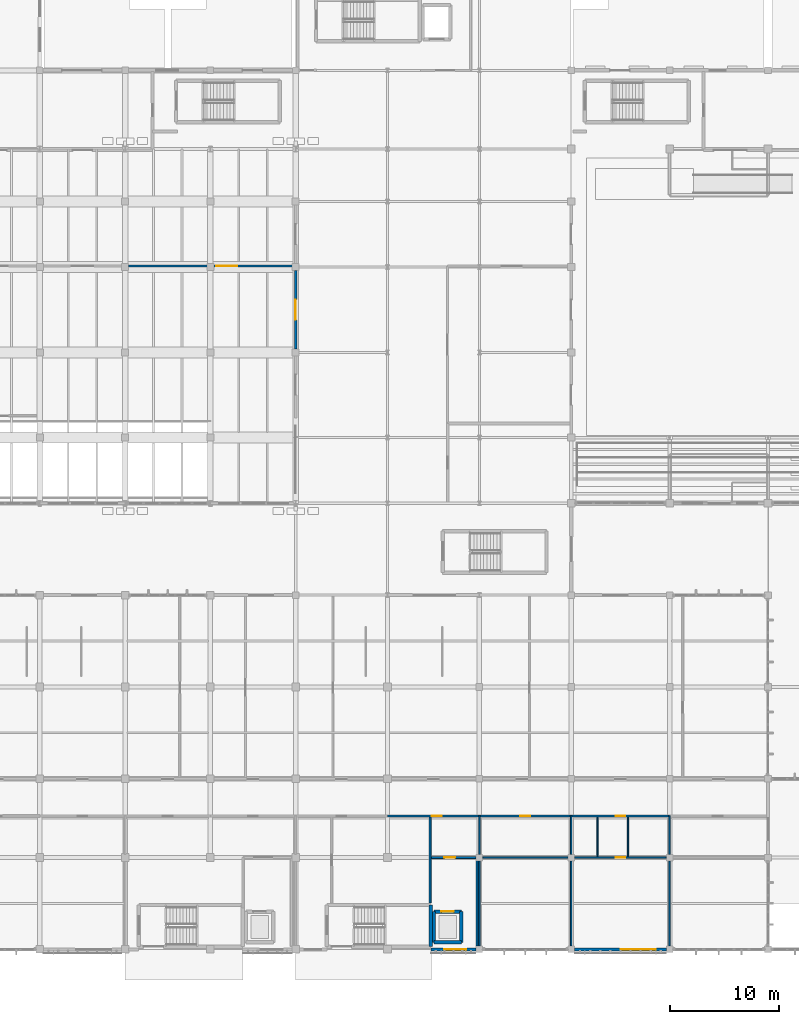
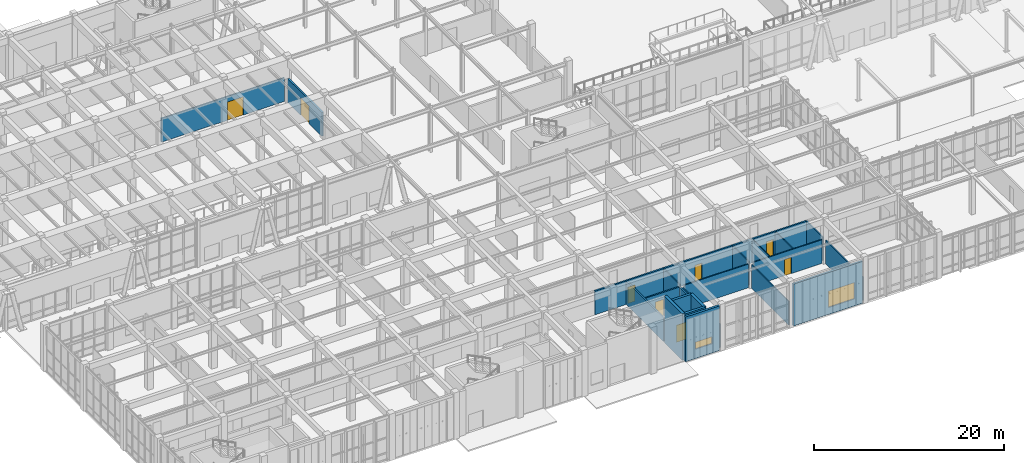
# One storey, part 77 of 110: 25 walls, 8 doors, 2 windows, 10 openings.
"""IFC4 building model written with IfcOpenShell, lengths in metres."""

from ifc_helpers import new_model, si_unit, direction, frame, frame_2d, origin, place, context, subcontext, project, spatial, rectangle, extrude, material, layer, layer_set, type_object, element, fill, save


model = new_model("IFC4")

# Units and contexts
model_context = context("Model", 3, precision=1e-05, world=origin(), true_north=direction((0.0, 1.0)))
body_context = subcontext(model_context, "Body", "Model", "MODEL_VIEW")
ifc_project = project(units=[si_unit("LENGTHUNIT", "METRE"), si_unit("AREAUNIT", "SQUARE_METRE"), si_unit("VOLUMEUNIT", "CUBIC_METRE"), si_unit("PLANEANGLEUNIT", "RADIAN"), si_unit("MASSUNIT", "GRAM", prefix="KILO")], contexts=[model_context])

# Site, building, storey
site_placement = place(None, origin())
site = spatial("IfcSite", under=ifc_project, at=site_placement, CompositionType="ELEMENT")
building_placement = place(site_placement, origin())
building = spatial("IfcBuilding", under=site, at=building_placement, Name="Tizgana Railside Sports Hall", CompositionType="ELEMENT")
storey_placement = place(building_placement, origin())
storey = spatial("IfcBuildingStorey", under=building, at=storey_placement, Name="L00", CompositionType="ELEMENT", Elevation=0.0)

# Wall, opening, door
ifc_material_1 = material(Name="Acoustic gypsum stud")
ifc_layer_1 = layer(ifc_material_1, 0.159912109375, Name="Acoustic gypsum stud")
ifc_layer_set_1 = layer_set([ifc_layer_1], Name="Acoustic gypsum stud")
wall_type_1 = type_object("IfcWallType", Name="Clinic Acoustic Partition 160", PredefinedType="STANDARD", material=ifc_layer_set_1)
wall_1_placement = place(storey_placement, frame((39.300048828125, 62.5, 0.0), z_axis=(0.0, 0.0, 1.0), x_axis=(1.0, 0.0, 0.0)))
wall_1 = element("IfcWall", 1, at=wall_1_placement, inside=storey, type_object=wall_type_1, Name="L00 Partition PWAL-0254", PredefinedType="STANDARD", context=body_context, shape_type="SweptSolid", body=[
    extrude(rectangle(XDim=15.0, YDim=0.159912109375, at=frame_2d((7.5, 0.0))), origin(), (0.0, 0.0, 1.0), 3.050048828125),
])
opening_1_placement = place(wall_1_placement, frame((8.02490234375, 0.0, 0.0)))
opening_1 = element("IfcOpeningElement", 2, at=opening_1_placement, cuts=wall_1, Name="Opening D-0245", PredefinedType="OPENING", context=body_context, shape_type="SweptSolid", body=[
    extrude(rectangle(XDim=1.949951171875, YDim=2.35009765625, at=frame_2d((0.97509765625, 1.175048828125))), frame((0.0, 0.08984375, 0.0), z_axis=(0.0, -1.0, 0.0), x_axis=(1.0, 0.0, 0.0)), (0.0, 0.0, 1.0), 0.179931640625),
])
ifc_material_2 = material(Name="Solid beech timber", Category="wood")
door_type_1 = type_object("IfcDoorType", Name="Court Player Double Entry Door 1950x2350", OperationType="NOTDEFINED", PredefinedType="DOOR", material=ifc_material_2)
door_1_placement = place(opening_1_placement, origin())
door_1 = element("IfcDoor", 3, at=door_1_placement, inside=storey, type_object=door_type_1, Name="L00 Door D-0245", OperationType="DOUBLE_DOOR_SINGLE_SWING", OverallHeight=2.35009765625, OverallWidth=1.949951171875, PredefinedType="DOOR", context=body_context, shape_type="SweptSolid", body=[
    extrude(rectangle(XDim=1.949951171875, YDim=2.35009765625, at=frame_2d((0.97509765625, 1.175048828125))), frame((0.0, 0.02490234375, 0.0), z_axis=(0.0, -1.0, 0.0), x_axis=(1.0, 0.0, 0.0)), (0.0, 0.0, 1.0), 0.050048828125),
])
fill(opening_1, door_1)

# Walls
ifc_material_3 = material(Name="Concrete C40/50", Category="concrete")
ifc_layer_2 = layer(ifc_material_3, 0.300048828125, Name="Concrete C40/50")
ifc_layer_set_2 = layer_set([ifc_layer_2], Name="Concrete C40/50")
wall_type_2 = type_object("IfcWallType", Name="Core Shear Wall 300", PredefinedType="SHEAR", material=ifc_layer_set_2)
wall_2_placement = place(storey_placement, frame((66.949951171875, 0.25, 0.0), z_axis=(0.0, 0.0, 1.0), x_axis=(0.0, 1.0, 0.0)))
element("IfcWall", 4, at=wall_2_placement, inside=storey, type_object=wall_type_2, Name="L00 C3 Shaft Wall E", PredefinedType="SHEAR", context=body_context, shape_type="SweptSolid", body=[
    extrude(rectangle(XDim=3.800048828125, YDim=0.300048828125, at=frame_2d((1.89990234375, 0.0))), origin(), (0.0, 0.0, 1.0), 6.0),
])
wall_3_placement = place(storey_placement, frame((67.25, 0.64990234375, 0.0), z_axis=(0.0, 0.0, 1.0), x_axis=(1.0, 0.0, 0.0)))
element("IfcWall", 5, at=wall_3_placement, inside=storey, type_object=wall_type_2, Name="L00 LP-02 Shaft Wall S", PredefinedType="SHEAR", context=body_context, shape_type="SweptSolid", body=[
    extrude(rectangle(XDim=2.5, YDim=0.300048828125, at=frame_2d((1.25, 0.0))), origin(), (0.0, 0.0, 1.0), 5.659912109375),
])

# Wall, opening, door
wall_4_placement = place(storey_placement, frame((67.25, 3.449951171875, 0.0), z_axis=(0.0, 0.0, 1.0), x_axis=(1.0, 0.0, 0.0)))
wall_4 = element("IfcWall", 6, at=wall_4_placement, inside=storey, type_object=wall_type_2, Name="L00 LP-02 Shaft Wall N", PredefinedType="SHEAR", context=body_context, shape_type="SweptSolid", body=[
    extrude(rectangle(XDim=2.5, YDim=0.300048828125, at=frame_2d((1.25, 0.0))), origin(), (0.0, 0.0, 1.0), 5.659912109375),
])
opening_2_placement = place(wall_4_placement, frame((0.675048828125, 0.0, 0.0)))
opening_2 = element("IfcOpeningElement", 7, at=opening_2_placement, cuts=wall_4, Name="Opening D-0067", PredefinedType="OPENING", context=body_context, shape_type="SweptSolid", body=[
    extrude(rectangle(XDim=1.14990234375, YDim=2.199951171875, at=frame_2d((0.574951171875, 1.10009765625))), frame((0.0, 0.159912109375, 0.0), z_axis=(0.0, -1.0, 0.0), x_axis=(1.0, 0.0, 0.0)), (0.0, 0.0, 1.0), 0.320068359375),
])
ifc_material_4 = material(Name="Brushed stainless steel", Category="steel")
door_type_2 = type_object("IfcDoorType", Name="Passenger Lift Sliding Door 1150x2200", OperationType="NOTDEFINED", PredefinedType="DOOR", material=ifc_material_4)
door_2_placement = place(opening_2_placement, origin())
door_2 = element("IfcDoor", 8, at=door_2_placement, inside=storey, type_object=door_type_2, Name="L00 Door D-0067", OperationType="DOUBLE_DOOR_SLIDING", OverallHeight=2.199951171875, OverallWidth=1.14990234375, PredefinedType="DOOR", context=body_context, shape_type="SweptSolid", body=[
    extrude(rectangle(XDim=1.14990234375, YDim=2.199951171875, at=frame_2d((0.574951171875, 1.10009765625))), frame((0.0, 0.02490234375, 0.0), z_axis=(0.0, -1.0, 0.0), x_axis=(1.0, 0.0, 0.0)), (0.0, 0.0, 1.0), 0.050048828125),
])
fill(opening_2, door_2)

# Walls
for number, where, z_axis, x_axis, name in (
    (9, (67.25, 0.64990234375, 0.0), (0.0, 0.0, 1.0), (0.0, 1.0, 0.0), "L00 LP-02 Shaft Wall W"),
    (10, (69.75, 0.64990234375, 0.0), (0.0, 0.0, 1.0), (0.0, 1.0, 0.0), "L00 LP-02 Shaft Wall E"),
):
    element("IfcWall", number, at=place(storey_placement, frame(where, z_axis=z_axis, x_axis=x_axis)), inside=storey, type_object=wall_type_2, Name=name, PredefinedType="SHEAR", context=body_context, shape_type="SweptSolid", body=[
        extrude(rectangle(XDim=2.800048828125, YDim=0.300048828125, at=frame_2d((1.39990234375, 0.0))), origin(), (0.0, 0.0, 1.0), 5.659912109375),
    ])

# Wall, opening, door
ifc_material_5 = material(Name="Masonry blockwork", Category="masonry")
ifc_layer_3 = layer(ifc_material_5, 0.199951171875, Name="Masonry blockwork")
ifc_layer_set_3 = layer_set([ifc_layer_3], Name="Masonry blockwork")
wall_type_3 = type_object("IfcWallType", Name="Corridor Compartment Partition 200", PredefinedType="STANDARD", material=ifc_layer_set_3)
wall_5_placement = place(storey_placement, frame((63.0, 12.199951171875, 0.0), z_axis=(0.0, 0.0, 1.0), x_axis=(1.0, 0.0, 0.0)))
wall_5 = element("IfcWall", 11, at=wall_5_placement, inside=storey, type_object=wall_type_3, Name="L00 Partition PWAL-0016", PredefinedType="STANDARD", context=body_context, shape_type="SweptSolid", body=[
    extrude(rectangle(XDim=8.39990234375, YDim=0.199951171875, at=frame_2d((4.199951171875, 0.0))), origin(), (0.0, 0.0, 1.0), 3.050048828125),
])
opening_3_placement = place(wall_5_placement, frame((4.06005859375, 0.0, 0.0)))
opening_3 = element("IfcOpeningElement", 12, at=opening_3_placement, cuts=wall_5, Name="Opening D-0118", PredefinedType="OPENING", context=body_context, shape_type="SweptSolid", body=[
    extrude(rectangle(XDim=0.8798828125, YDim=2.10009765625, at=frame_2d((0.43994140625, 1.050048828125))), frame((0.0, 0.10986328125, 0.0), z_axis=(0.0, -1.0, 0.0), x_axis=(1.0, 0.0, 0.0)), (0.0, 0.0, 1.0), 0.219970703125),
])
door_type_3 = type_object("IfcDoorType", Name="Public & Staff WC Door 880x2100", OperationType="NOTDEFINED", PredefinedType="DOOR", material=ifc_material_2)
door_3_placement = place(opening_3_placement, origin())
door_3 = element("IfcDoor", 13, at=door_3_placement, inside=storey, type_object=door_type_3, Name="L00 Door D-0118", OperationType="SINGLE_SWING_RIGHT", OverallHeight=2.10009765625, OverallWidth=0.8798828125, PredefinedType="DOOR", context=body_context, shape_type="SweptSolid", body=[
    extrude(rectangle(XDim=0.8798828125, YDim=2.10009765625, at=frame_2d((0.43994140625, 1.050048828125))), frame((0.0, 0.02490234375, 0.0), z_axis=(0.0, -1.0, 0.0), x_axis=(1.0, 0.0, 0.0)), (0.0, 0.0, 1.0), 0.050048828125),
])
fill(opening_3, door_3)

wall_6_placement = place(storey_placement, frame((71.39990234375, 12.199951171875, 0.0), z_axis=(0.0, 0.0, 1.0), x_axis=(1.0, 0.0, 0.0)))
wall_6 = element("IfcWall", 14, at=wall_6_placement, inside=storey, type_object=wall_type_3, Name="L00 Partition PWAL-0018", PredefinedType="STANDARD", context=body_context, shape_type="SweptSolid", body=[
    extrude(rectangle(XDim=8.400146484375, YDim=0.199951171875, at=frame_2d((4.2001953125, 0.0))), origin(), (0.0, 0.0, 1.0), 3.050048828125),
])
opening_4_placement = place(wall_6_placement, frame((3.760009765625, 0.0, 0.0)))
opening_4 = element("IfcOpeningElement", 15, at=opening_4_placement, cuts=wall_6, Name="Opening D-0120", PredefinedType="OPENING", context=body_context, shape_type="SweptSolid", body=[
    extrude(rectangle(XDim=0.8798828125, YDim=2.10009765625, at=frame_2d((0.43994140625, 1.050048828125))), frame((0.0, 0.10986328125, 0.0), z_axis=(0.0, -1.0, 0.0), x_axis=(1.0, 0.0, 0.0)), (0.0, 0.0, 1.0), 0.219970703125),
])
door_4_placement = place(opening_4_placement, origin())
door_4 = element("IfcDoor", 16, at=door_4_placement, inside=storey, type_object=door_type_3, Name="L00 Door D-0120", OperationType="SINGLE_SWING_RIGHT", OverallHeight=2.10009765625, OverallWidth=0.8798828125, PredefinedType="DOOR", context=body_context, shape_type="SweptSolid", body=[
    extrude(rectangle(XDim=0.8798828125, YDim=2.10009765625, at=frame_2d((0.43994140625, 1.050048828125))), frame((0.0, 0.02490234375, 0.0), z_axis=(0.0, -1.0, 0.0), x_axis=(1.0, 0.0, 0.0)), (0.0, 0.0, 1.0), 0.050048828125),
])
fill(opening_4, door_4)

wall_7_placement = place(storey_placement, frame((79.800048828125, 12.199951171875, 0.0), z_axis=(0.0, 0.0, 1.0), x_axis=(1.0, 0.0, 0.0)))
wall_7 = element("IfcWall", 17, at=wall_7_placement, inside=storey, type_object=wall_type_3, Name="L00 Partition PWAL-0020", PredefinedType="STANDARD", context=body_context, shape_type="SweptSolid", body=[
    extrude(rectangle(XDim=9.0, YDim=0.199951171875, at=frame_2d((4.5, 0.0))), origin(), (0.0, 0.0, 1.0), 3.050048828125),
])
opening_5_placement = place(wall_7_placement, frame((4.06005859375, 0.0, 0.0)))
opening_5 = element("IfcOpeningElement", 18, at=opening_5_placement, cuts=wall_7, Name="Opening D-0122", PredefinedType="OPENING", context=body_context, shape_type="SweptSolid", body=[
    extrude(rectangle(XDim=0.8798828125, YDim=2.10009765625, at=frame_2d((0.43994140625, 1.050048828125))), frame((0.0, 0.10986328125, 0.0), z_axis=(0.0, -1.0, 0.0), x_axis=(1.0, 0.0, 0.0)), (0.0, 0.0, 1.0), 0.219970703125),
])
door_5_placement = place(opening_5_placement, origin())
door_5 = element("IfcDoor", 19, at=door_5_placement, inside=storey, type_object=door_type_3, Name="L00 Door D-0122", OperationType="SINGLE_SWING_RIGHT", OverallHeight=2.10009765625, OverallWidth=0.8798828125, PredefinedType="DOOR", context=body_context, shape_type="SweptSolid", body=[
    extrude(rectangle(XDim=0.8798828125, YDim=2.10009765625, at=frame_2d((0.43994140625, 1.050048828125))), frame((0.0, 0.02490234375, 0.0), z_axis=(0.0, -1.0, 0.0), x_axis=(1.0, 0.0, 0.0)), (0.0, 0.0, 1.0), 0.050048828125),
])
fill(opening_5, door_5)

ifc_layer_4 = layer(ifc_material_5, 0.219970703125, Name="Masonry blockwork")
ifc_layer_set_4 = layer_set([ifc_layer_4], Name="Masonry blockwork")
wall_type_4 = type_object("IfcWallType", Name="Equipment Store Fire Wall 220", PredefinedType="STANDARD", material=ifc_layer_set_4)
wall_8_placement = place(storey_placement, frame((54.60009765625, 54.89990234375, 0.0), z_axis=(0.0, 0.0, 1.0), x_axis=(0.0, 1.0, 0.0)))
wall_8 = element("IfcWall", 20, at=wall_8_placement, inside=storey, type_object=wall_type_4, Name="L00 Partition PWAL-0269", PredefinedType="STANDARD", context=body_context, shape_type="SweptSolid", body=[
    extrude(rectangle(XDim=7.2001953125, YDim=0.219970703125, at=frame_2d((3.60009765625, 0.0))), origin(), (0.0, 0.0, 1.0), 3.050048828125),
])
opening_6_placement = place(wall_8_placement, frame((2.675048828125, 0.0, 0.0)))
opening_6 = element("IfcOpeningElement", 21, at=opening_6_placement, cuts=wall_8, Name="Opening D-0257", PredefinedType="OPENING", context=body_context, shape_type="SweptSolid", body=[
    extrude(rectangle(XDim=1.85009765625, YDim=2.25, at=frame_2d((0.925048828125, 1.125))), frame((0.0, 0.119873046875, 0.0), z_axis=(0.0, -1.0, 0.0), x_axis=(1.0, 0.0, 0.0)), (0.0, 0.0, 1.0), 0.239990234375),
])
ifc_material_6 = material(Name="Timber fire leaf", Category="wood")
door_type_4 = type_object("IfcDoorType", Name="Corridor Cross-Fire Double Door 1850x2250", OperationType="NOTDEFINED", PredefinedType="DOOR", material=ifc_material_6)
door_6_placement = place(opening_6_placement, origin())
door_6 = element("IfcDoor", 22, at=door_6_placement, inside=storey, type_object=door_type_4, Name="L00 Door D-0257", OperationType="DOUBLE_DOOR_SINGLE_SWING", OverallHeight=2.25, OverallWidth=1.85009765625, PredefinedType="DOOR", context=body_context, shape_type="SweptSolid", body=[
    extrude(rectangle(XDim=1.85009765625, YDim=2.25, at=frame_2d((0.925048828125, 1.125))), frame((0.0, 0.02490234375, 0.0), z_axis=(0.0, -1.0, 0.0), x_axis=(1.0, 0.0, 0.0)), (0.0, 0.0, 1.0), 0.050048828125),
])
fill(opening_6, door_6)

# Wall, opening, window
ifc_material_7 = material(Name="Precast concrete C40/50", Category="concrete")
ifc_layer_5 = layer(ifc_material_7, 0.27001953125, Name="Precast concrete C40/50")
ifc_layer_set_5 = layer_set([ifc_layer_5], Name="Precast concrete C40/50")
wall_type_5 = type_object("IfcWallType", Name="Exterior Studio Facade Wall 270", PredefinedType="STANDARD", material=ifc_layer_set_5)
wall_9_placement = place(storey_placement, frame((71.110107421875, 0.0, 0.0), z_axis=(0.0, 0.0, 1.0), x_axis=(-1.0, 0.0, 0.0)))
wall_9 = element("IfcWall", 23, at=wall_9_placement, inside=storey, type_object=wall_type_5, Name="L00 Exterior Wall EWAL-0076", PredefinedType="STANDARD", context=body_context, shape_type="SweptSolid", body=[
    extrude(rectangle(XDim=4.155029296875, YDim=0.27001953125, at=frame_2d((2.07763671875, 0.0))), origin(), (0.0, 0.0, 1.0), 5.75),
])
opening_7_placement = place(wall_9_placement, frame((0.909912109375, 0.0, 1.199951171875)))
opening_7 = element("IfcOpeningElement", 24, at=opening_7_placement, cuts=wall_9, Name="Opening W-0053", PredefinedType="OPENING", context=body_context, shape_type="SweptSolid", body=[
    extrude(rectangle(XDim=2.0, YDim=0.89990234375, at=frame_2d((1.0, 0.449951171875))), frame((0.0, 0.14501953125, 0.0), z_axis=(0.0, -1.0, 0.0), x_axis=(1.0, 0.0, 0.0)), (0.0, 0.0, 1.0), 0.2900390625),
])
ifc_material_8 = material(Name="Double low-E laminated glass", Category="glass")
window_type_1 = type_object("IfcWindowType", Name="Changing High-Level Window 2000x900", PartitioningType="SINGLE_PANEL", PredefinedType="WINDOW", material=ifc_material_8)
window_1_placement = place(opening_7_placement, origin())
window_1 = element("IfcWindow", 25, at=window_1_placement, inside=storey, type_object=window_type_1, Name="L00 Window W-0053", OverallHeight=0.89990234375, OverallWidth=2.0, PartitioningType="SINGLE_PANEL", PredefinedType="WINDOW", context=body_context, shape_type="SweptSolid", body=[
    extrude(rectangle(XDim=2.0, YDim=0.89990234375, at=frame_2d((1.0, 0.449951171875))), frame((0.0, 0.030029296875, 0.0), z_axis=(0.0, -1.0, 0.0), x_axis=(1.0, 0.0, 0.0)), (0.0, 0.0, 1.0), 0.06005859375),
])
fill(opening_7, window_1)

wall_10_placement = place(storey_placement, frame((88.510009765625, 0.0, 0.0), z_axis=(0.0, 0.0, 1.0), x_axis=(-1.0, 0.0, 0.0)))
wall_10 = element("IfcWall", 26, at=wall_10_placement, inside=storey, type_object=wall_type_5, Name="L00 Exterior Wall EWAL-0077", PredefinedType="STANDARD", context=body_context, shape_type="SweptSolid", body=[
    extrude(rectangle(XDim=8.419921875, YDim=0.27001953125, at=frame_2d((4.2099609375, 0.0))), origin(), (0.0, 0.0, 1.0), 5.381103515625),
])
opening_8_placement = place(wall_10_placement, frame((0.9599609375, 0.0, 0.89990234375)))
opening_8 = element("IfcOpeningElement", 27, at=opening_8_placement, cuts=wall_10, Name="Opening W-0054", PredefinedType="OPENING", context=body_context, shape_type="SweptSolid", body=[
    extrude(rectangle(XDim=3.199951171875, YDim=2.10009765625, at=frame_2d((1.60009765625, 1.050048828125))), frame((0.0, 0.14501953125, 0.0), z_axis=(0.0, -1.0, 0.0), x_axis=(1.0, 0.0, 0.0)), (0.0, 0.0, 1.0), 0.2900390625),
])
window_type_2 = type_object("IfcWindowType", Name="Studio Wide Window 3200x2100", PartitioningType="SINGLE_PANEL", PredefinedType="WINDOW", material=ifc_material_8)
window_2_placement = place(opening_8_placement, origin())
window_2 = element("IfcWindow", 28, at=window_2_placement, inside=storey, type_object=window_type_2, Name="L00 Window W-0054", OverallHeight=2.10009765625, OverallWidth=3.199951171875, PartitioningType="SINGLE_PANEL", PredefinedType="WINDOW", context=body_context, shape_type="SweptSolid", body=[
    extrude(rectangle(XDim=3.199951171875, YDim=2.10009765625, at=frame_2d((1.60009765625, 1.050048828125))), frame((0.0, 0.030029296875, 0.0), z_axis=(0.0, -1.0, 0.0), x_axis=(1.0, 0.0, 0.0)), (0.0, 0.0, 1.0), 0.06005859375),
])
fill(opening_8, window_2)

# Walls
ifc_layer_6 = layer(ifc_material_1, 0.1298828125, Name="Acoustic gypsum stud")
ifc_layer_set_6 = layer_set([ifc_layer_6], Name="Acoustic gypsum stud")
wall_type_6 = type_object("IfcWallType", Name="General Interior Partition 130", PredefinedType="STANDARD", material=ifc_layer_set_6)
wall_11_placement = place(storey_placement, frame((71.39990234375, 0.300048828125, 0.0), z_axis=(0.0, 0.0, 1.0), x_axis=(0.0, 1.0, 0.0)))
element("IfcWall", 29, at=wall_11_placement, inside=storey, type_object=wall_type_6, Name="L00 Partition PWAL-0034", PredefinedType="STANDARD", context=body_context, shape_type="SweptSolid", body=[
    extrude(rectangle(XDim=7.800048828125, YDim=0.1298828125, at=frame_2d((3.89990234375, 0.0))), origin(), (0.0, 0.0, 1.0), 3.050048828125),
])
wall_12_placement = place(storey_placement, frame((71.39990234375, 8.699951171875, 0.0), z_axis=(0.0, 0.0, 1.0), x_axis=(0.0, 1.0, 0.0)))
element("IfcWall", 30, at=wall_12_placement, inside=storey, type_object=wall_type_6, Name="L00 Partition PWAL-0035", PredefinedType="STANDARD", context=body_context, shape_type="SweptSolid", body=[
    extrude(rectangle(XDim=3.5, YDim=0.1298828125, at=frame_2d((1.75, 0.0))), origin(), (0.0, 0.0, 1.0), 3.050048828125),
])
wall_13_placement = place(storey_placement, frame((79.800048828125, 0.300048828125, 0.0), z_axis=(0.0, 0.0, 1.0), x_axis=(0.0, 1.0, 0.0)))
element("IfcWall", 31, at=wall_13_placement, inside=storey, type_object=wall_type_6, Name="L00 Partition PWAL-0036", PredefinedType="STANDARD", context=body_context, shape_type="SweptSolid", body=[
    extrude(rectangle(XDim=7.800048828125, YDim=0.1298828125, at=frame_2d((3.89990234375, 0.0))), origin(), (0.0, 0.0, 1.0), 3.050048828125),
])
wall_14_placement = place(storey_placement, frame((79.800048828125, 8.699951171875, 0.0), z_axis=(0.0, 0.0, 1.0), x_axis=(0.0, 1.0, 0.0)))
element("IfcWall", 32, at=wall_14_placement, inside=storey, type_object=wall_type_6, Name="L00 Partition PWAL-0037", PredefinedType="STANDARD", context=body_context, shape_type="SweptSolid", body=[
    extrude(rectangle(XDim=3.5, YDim=0.1298828125, at=frame_2d((1.75, 0.0))), origin(), (0.0, 0.0, 1.0), 3.050048828125),
])
wall_15_placement = place(storey_placement, frame((88.800048828125, 0.300048828125, 0.0), z_axis=(0.0, 0.0, 1.0), x_axis=(0.0, 1.0, 0.0)))
element("IfcWall", 33, at=wall_15_placement, inside=storey, type_object=wall_type_6, Name="L00 Partition PWAL-0038", PredefinedType="STANDARD", context=body_context, shape_type="SweptSolid", body=[
    extrude(rectangle(XDim=7.800048828125, YDim=0.1298828125, at=frame_2d((3.89990234375, 0.0))), origin(), (0.0, 0.0, 1.0), 3.050048828125),
])
wall_16_placement = place(storey_placement, frame((88.800048828125, 8.699951171875, 0.0), z_axis=(0.0, 0.0, 1.0), x_axis=(0.0, 1.0, 0.0)))
element("IfcWall", 34, at=wall_16_placement, inside=storey, type_object=wall_type_6, Name="L00 Partition PWAL-0039", PredefinedType="STANDARD", context=body_context, shape_type="SweptSolid", body=[
    extrude(rectangle(XDim=3.5, YDim=0.1298828125, at=frame_2d((1.75, 0.0))), origin(), (0.0, 0.0, 1.0), 3.050048828125),
])
wall_17_placement = place(storey_placement, frame((71.7099609375, 8.39990234375, 0.0), z_axis=(0.0, 0.0, 1.0), x_axis=(1.0, 0.0, 0.0)))
element("IfcWall", 35, at=wall_17_placement, inside=storey, type_object=wall_type_6, Name="L00 Partition PWAL-0040", PredefinedType="STANDARD", context=body_context, shape_type="SweptSolid", body=[
    extrude(rectangle(XDim=7.780029296875, YDim=0.1298828125, at=frame_2d((3.89013671875, 0.0))), origin(), (0.0, 0.0, 1.0), 3.050048828125),
])

# Wall, opening, door
wall_18_placement = place(storey_placement, frame((80.110107421875, 8.39990234375, 0.0), z_axis=(0.0, 0.0, 1.0), x_axis=(1.0, 0.0, 0.0)))
wall_18 = element("IfcWall", 36, at=wall_18_placement, inside=storey, type_object=wall_type_6, Name="L00 Partition PWAL-0041", PredefinedType="STANDARD", context=body_context, shape_type="SweptSolid", body=[
    extrude(rectangle(XDim=8.3798828125, YDim=0.1298828125, at=frame_2d((4.18994140625, 0.0))), origin(), (0.0, 0.0, 1.0), 3.050048828125),
])
opening_9_placement = place(wall_18_placement, frame((3.760009765625, 0.0, 0.0)))
opening_9 = element("IfcOpeningElement", 37, at=opening_9_placement, cuts=wall_18, Name="Opening D-0130", PredefinedType="OPENING", context=body_context, shape_type="SweptSolid", body=[
    extrude(rectangle(XDim=0.860107421875, YDim=2.10009765625, at=frame_2d((0.43017578125, 1.050048828125))), frame((0.0, 0.074951171875, 0.0), z_axis=(0.0, -1.0, 0.0), x_axis=(1.0, 0.0, 0.0)), (0.0, 0.0, 1.0), 0.14990234375),
])
door_type_5 = type_object("IfcDoorType", Name="Cleaner & Store Room Door 860x2100", OperationType="NOTDEFINED", PredefinedType="DOOR", material=ifc_material_2)
door_7_placement = place(opening_9_placement, origin())
door_7 = element("IfcDoor", 38, at=door_7_placement, inside=storey, type_object=door_type_5, Name="L00 Door D-0130", OperationType="SINGLE_SWING_RIGHT", OverallHeight=2.10009765625, OverallWidth=0.860107421875, PredefinedType="DOOR", context=body_context, shape_type="SweptSolid", body=[
    extrude(rectangle(XDim=0.860107421875, YDim=2.10009765625, at=frame_2d((0.43017578125, 1.050048828125))), frame((0.0, 0.02490234375, 0.0), z_axis=(0.0, -1.0, 0.0), x_axis=(1.0, 0.0, 0.0)), (0.0, 0.0, 1.0), 0.050048828125),
])
fill(opening_9, door_7)

# Wall
ifc_layer_7 = layer(ifc_material_5, 0.179931640625, Name="Masonry blockwork")
ifc_layer_set_7 = layer_set([ifc_layer_7], Name="Masonry blockwork")
wall_type_7 = type_object("IfcWallType", Name="Riser and Shaft Wall 180", PredefinedType="STANDARD", material=ifc_layer_set_7)
wall_19_placement = place(storey_placement, frame((66.89990234375, 4.25, 0.0), z_axis=(0.0, 0.0, 1.0), x_axis=(0.0, 1.0, 0.0)))
element("IfcWall", 39, at=wall_19_placement, inside=storey, type_object=wall_type_7, Name="L00 Partition PWAL-0354", PredefinedType="STANDARD", context=body_context, shape_type="SweptSolid", body=[
    extrude(rectangle(XDim=7.85009765625, YDim=0.179931640625, at=frame_2d((3.925048828125, 0.0))), origin(), (0.0, 0.0, 1.0), 3.050048828125),
])

# Wall, opening, door
wall_20_placement = place(storey_placement, frame((67.0, 8.39990234375, 0.0), z_axis=(0.0, 0.0, 1.0), x_axis=(1.0, 0.0, 0.0)))
wall_20 = element("IfcWall", 40, at=wall_20_placement, inside=storey, type_object=wall_type_7, Name="L00 Partition PWAL-0355", PredefinedType="STANDARD", context=body_context, shape_type="SweptSolid", body=[
    extrude(rectangle(XDim=4.10009765625, YDim=0.179931640625, at=frame_2d((2.050048828125, 0.0))), origin(), (0.0, 0.0, 1.0), 3.050048828125),
])
opening_10_placement = place(wall_20_placement, frame((1.18994140625, 0.0, 0.0)))
opening_10 = element("IfcOpeningElement", 41, at=opening_10_placement, cuts=wall_20, Name="Opening D-0314", PredefinedType="OPENING", context=body_context, shape_type="SweptSolid", body=[
    extrude(rectangle(XDim=1.02001953125, YDim=2.14990234375, at=frame_2d((0.510009765625, 1.074951171875))), frame((0.0, 0.099853515625, 0.0), z_axis=(0.0, -1.0, 0.0), x_axis=(1.0, 0.0, 0.0)), (0.0, 0.0, 1.0), 0.199951171875),
])
door_type_6 = type_object("IfcDoorType", Name="Accessible Changing & WC Door 1020x2150", OperationType="NOTDEFINED", PredefinedType="DOOR", material=ifc_material_2)
door_8_placement = place(opening_10_placement, origin())
door_8 = element("IfcDoor", 42, at=door_8_placement, inside=storey, type_object=door_type_6, Name="L00 Door D-0314", OperationType="SINGLE_SWING_LEFT", OverallHeight=2.14990234375, OverallWidth=1.02001953125, PredefinedType="DOOR", context=body_context, shape_type="SweptSolid", body=[
    extrude(rectangle(XDim=1.02001953125, YDim=2.14990234375, at=frame_2d((0.510009765625, 1.074951171875))), frame((0.0, 0.02490234375, 0.0), z_axis=(0.0, -1.0, 0.0), x_axis=(1.0, 0.0, 0.0)), (0.0, 0.0, 1.0), 0.050048828125),
])
fill(opening_10, door_8)

# Walls
wall_21_placement = place(storey_placement, frame((71.199951171875, 0.300048828125, 0.0), z_axis=(0.0, 0.0, 1.0), x_axis=(0.0, 1.0, 0.0)))
element("IfcWall", 43, at=wall_21_placement, inside=storey, type_object=wall_type_7, Name="L00 Partition PWAL-0356", PredefinedType="STANDARD", context=body_context, shape_type="SweptSolid", body=[
    extrude(rectangle(XDim=8.099853515625, YDim=0.179931640625, at=frame_2d((4.0498046875, 0.0))), origin(), (0.0, 0.0, 1.0), 3.050048828125),
])
ifc_layer_8 = layer(ifc_material_1, 0.1201171875, Name="Acoustic gypsum stud")
ifc_layer_set_8 = layer_set([ifc_layer_8], Name="Acoustic gypsum stud")
wall_type_8 = type_object("IfcWallType", Name="WC Cubicle Partition 120", PredefinedType="STANDARD", material=ifc_layer_set_8)
for number, where, z_axis, x_axis, name in (
    (44, (82.199951171875, 8.469970703125, 0.0), (0.0, 0.0, 1.0), (0.0, 1.0, 0.0), "L00 Partition PWAL-0051"),
    (45, (85.0, 8.469970703125, 0.0), (0.0, 0.0, 1.0), (0.0, 1.0, 0.0), "L00 Partition PWAL-0052"),
):
    element("IfcWall", number, at=place(storey_placement, frame(where, z_axis=z_axis, x_axis=x_axis)), inside=storey, type_object=wall_type_8, Name=name, PredefinedType="STANDARD", context=body_context, shape_type="SweptSolid", body=[
        extrude(rectangle(XDim=3.630126953125, YDim=0.1201171875, at=frame_2d((1.81494140625, 0.0))), origin(), (0.0, 0.0, 1.0), 3.050048828125),
    ])

save(model, "model.ifc")
